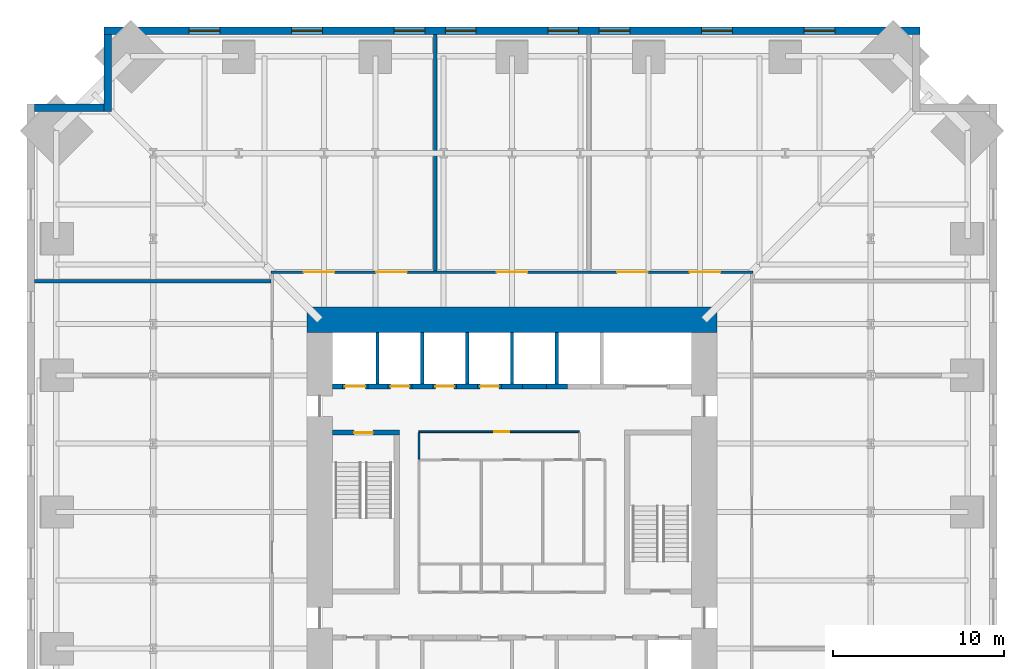
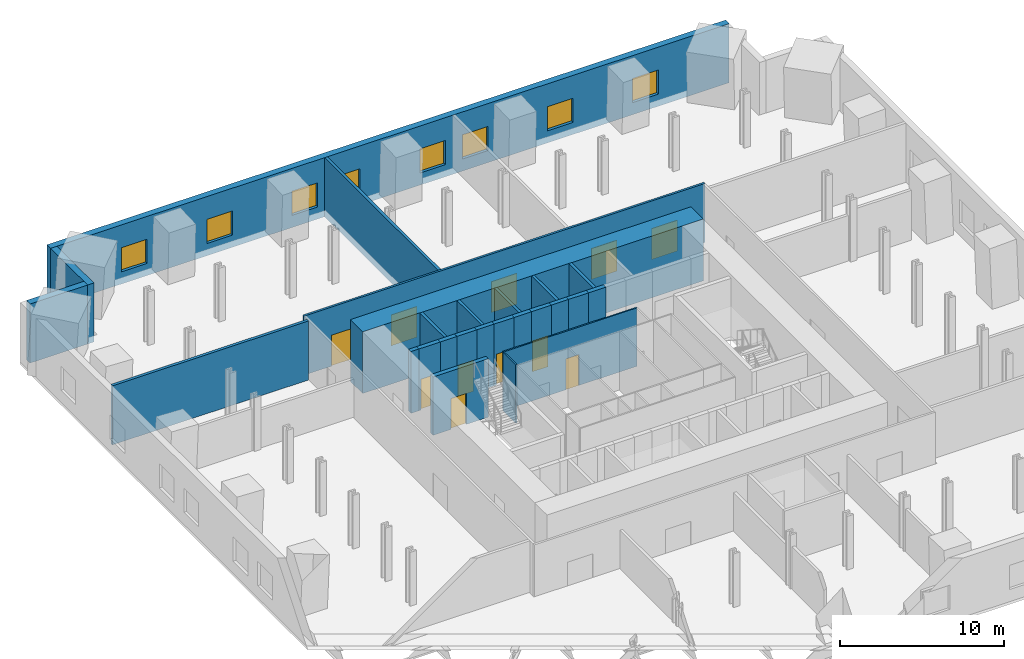
# One storey, part 6 of 8: 26 walls, 11 doors, 8 windows, 19 openings.
"""IFC4 building model written with IfcOpenShell, lengths in metres."""

from ifc_helpers import new_model, si_unit, direction, frame, frame_2d, origin, place, context, subcontext, project, spatial, rectangle, extrude, material, layer, layer_set, type_object, element, fill, save


model = new_model("IFC4")

# Units and contexts
model_context = context("Model", 3, precision=1e-05, world=origin(), true_north=direction((0.0, 1.0)))
body_context = subcontext(model_context, "Body", "Model", "MODEL_VIEW")
ifc_project = project(units=[si_unit("LENGTHUNIT", "METRE"), si_unit("AREAUNIT", "SQUARE_METRE"), si_unit("VOLUMEUNIT", "CUBIC_METRE"), si_unit("PLANEANGLEUNIT", "RADIAN"), si_unit("MASSUNIT", "GRAM", prefix="KILO")], contexts=[model_context])

# Site, building, storey
site_placement = place(None, origin())
site = spatial("IfcSite", under=ifc_project, at=site_placement, CompositionType="ELEMENT")
building_placement = place(site_placement, origin())
building = spatial("IfcBuilding", under=site, at=building_placement, Name="Peilmerk Tower", CompositionType="ELEMENT")
storey_placement = place(building_placement, frame((0.0, 0.0, 104.39990234375)))
storey = spatial("IfcBuildingStorey", under=building, at=storey_placement, Name="L20", CompositionType="ELEMENT", Elevation=104.39990234375)

# Wall, openings, windows
ifc_material_1 = material(Name="Precast concrete C45/55, board-marked finish", Category="concrete")
ifc_layer_1 = layer(ifc_material_1, 0.449951171875)
ifc_layer_set_1 = layer_set([ifc_layer_1], Name="Precast concrete C45/55, board-marked finish")
wall_type_1 = type_object("IfcWallType", Name="EW1 450 precast concrete facade wall, board-marked", PredefinedType="SOLIDWALL", material=ifc_layer_set_1)
wall_1_placement = place(storey_placement, frame((23.89990234375, 28.175048828125, 0.0), z_axis=(0.0, 0.0, 1.0), x_axis=(-1.0, 0.0, 0.0)))
wall_1 = element("IfcWall", 1, at=wall_1_placement, inside=storey, type_object=wall_type_1, Name="Facade wall N L20", PredefinedType="SOLIDWALL", context=body_context, shape_type="SweptSolid", body=[
    extrude(rectangle(XDim=47.7998046875, YDim=0.449951171875, at=frame_2d((23.89990234375, 0.0))), origin(), (0.0, 0.0, 1.0), 4.400146484375),
])
opening_1_placement = place(wall_1_placement, frame((5.0, 0.0, 0.89990234375)))
opening_1 = element("IfcOpeningElement", 2, at=opening_1_placement, cuts=wall_1, Name="Opening W3", PredefinedType="OPENING", context=body_context, shape_type="SweptSolid", body=[
    extrude(rectangle(XDim=1.800048828125, YDim=1.800048828125, at=frame_2d((0.89990234375, 0.89990234375))), frame((0.0, 0.23486328125, 0.0), z_axis=(0.0, -1.0, 0.0), x_axis=(1.0, 0.0, 0.0)), (0.0, 0.0, 1.0), 0.469970703125),
])
opening_2_placement = place(wall_1_placement, frame((11.0, 0.0, 0.89990234375)))
opening_2 = element("IfcOpeningElement", 3, at=opening_2_placement, cuts=wall_1, Name="Opening W3", PredefinedType="OPENING", context=body_context, shape_type="SweptSolid", body=[
    extrude(rectangle(XDim=1.800048828125, YDim=1.800048828125, at=frame_2d((0.89990234375, 0.89990234375))), frame((0.0, 0.23486328125, 0.0), z_axis=(0.0, -1.0, 0.0), x_axis=(1.0, 0.0, 0.0)), (0.0, 0.0, 1.0), 0.469970703125),
])
opening_3_placement = place(wall_1_placement, frame((17.0, 0.0, 0.89990234375)))
opening_3 = element("IfcOpeningElement", 4, at=opening_3_placement, cuts=wall_1, Name="Opening W3", PredefinedType="OPENING", context=body_context, shape_type="SweptSolid", body=[
    extrude(rectangle(XDim=1.800048828125, YDim=1.800048828125, at=frame_2d((0.89990234375, 0.89990234375))), frame((0.0, 0.23486328125, 0.0), z_axis=(0.0, -1.0, 0.0), x_axis=(1.0, 0.0, 0.0)), (0.0, 0.0, 1.0), 0.469970703125),
])
opening_4_placement = place(wall_1_placement, frame((20.0, 0.0, 0.89990234375)))
opening_4 = element("IfcOpeningElement", 5, at=opening_4_placement, cuts=wall_1, Name="Opening W3", PredefinedType="OPENING", context=body_context, shape_type="SweptSolid", body=[
    extrude(rectangle(XDim=1.800048828125, YDim=1.800048828125, at=frame_2d((0.89990234375, 0.89990234375))), frame((0.0, 0.23486328125, 0.0), z_axis=(0.0, -1.0, 0.0), x_axis=(1.0, 0.0, 0.0)), (0.0, 0.0, 1.0), 0.469970703125),
])
opening_5_placement = place(wall_1_placement, frame((26.0, 0.0, 0.89990234375)))
opening_5 = element("IfcOpeningElement", 6, at=opening_5_placement, cuts=wall_1, Name="Opening W3", PredefinedType="OPENING", context=body_context, shape_type="SweptSolid", body=[
    extrude(rectangle(XDim=1.800048828125, YDim=1.800048828125, at=frame_2d((0.89990234375, 0.89990234375))), frame((0.0, 0.23486328125, 0.0), z_axis=(0.0, -1.0, 0.0), x_axis=(1.0, 0.0, 0.0)), (0.0, 0.0, 1.0), 0.469970703125),
])
opening_6_placement = place(wall_1_placement, frame((29.0, 0.0, 0.89990234375)))
opening_6 = element("IfcOpeningElement", 7, at=opening_6_placement, cuts=wall_1, Name="Opening W3", PredefinedType="OPENING", context=body_context, shape_type="SweptSolid", body=[
    extrude(rectangle(XDim=1.800048828125, YDim=1.800048828125, at=frame_2d((0.89990234375, 0.89990234375))), frame((0.0, 0.23486328125, 0.0), z_axis=(0.0, -1.0, 0.0), x_axis=(1.0, 0.0, 0.0)), (0.0, 0.0, 1.0), 0.469970703125),
])
opening_7_placement = place(wall_1_placement, frame((35.0, 0.0, 0.89990234375)))
opening_7 = element("IfcOpeningElement", 8, at=opening_7_placement, cuts=wall_1, Name="Opening W3", PredefinedType="OPENING", context=body_context, shape_type="SweptSolid", body=[
    extrude(rectangle(XDim=1.800048828125, YDim=1.800048828125, at=frame_2d((0.89990234375, 0.89990234375))), frame((0.0, 0.23486328125, 0.0), z_axis=(0.0, -1.0, 0.0), x_axis=(1.0, 0.0, 0.0)), (0.0, 0.0, 1.0), 0.469970703125),
])
opening_8_placement = place(wall_1_placement, frame((41.0, 0.0, 0.89990234375)))
opening_8 = element("IfcOpeningElement", 9, at=opening_8_placement, cuts=wall_1, Name="Opening W3", PredefinedType="OPENING", context=body_context, shape_type="SweptSolid", body=[
    extrude(rectangle(XDim=1.800048828125, YDim=1.800048828125, at=frame_2d((0.89990234375, 0.89990234375))), frame((0.0, 0.23486328125, 0.0), z_axis=(0.0, -1.0, 0.0), x_axis=(1.0, 0.0, 0.0)), (0.0, 0.0, 1.0), 0.469970703125),
])
ifc_material_2 = material(Name="Aluminium frame, clear double glazing", Category="aluminium")
window_type = type_object("IfcWindowType", Name="W3 1800x1800 telecom floor window", PartitioningType="SINGLE_PANEL", PredefinedType="WINDOW", material=ifc_material_2)
window_1_placement = place(opening_1_placement, origin())
window_1 = element("IfcWindow", 10, at=window_1_placement, inside=storey, type_object=window_type, Name="Window W3 L20", OverallHeight=1.800048828125, OverallWidth=1.800048828125, PartitioningType="SINGLE_PANEL", PredefinedType="WINDOW", context=body_context, shape_type="SweptSolid", body=[
    extrude(rectangle(XDim=1.800048828125, YDim=1.800048828125, at=frame_2d((0.89990234375, 0.89990234375))), frame((0.0, 0.030029296875, 0.0), z_axis=(0.0, -1.0, 0.0), x_axis=(1.0, 0.0, 0.0)), (0.0, 0.0, 1.0), 0.06005859375),
])
fill(opening_1, window_1)
window_2_placement = place(opening_2_placement, origin())
window_2 = element("IfcWindow", 11, at=window_2_placement, inside=storey, type_object=window_type, Name="Window W3 L20", OverallHeight=1.800048828125, OverallWidth=1.800048828125, PartitioningType="SINGLE_PANEL", PredefinedType="WINDOW", context=body_context, shape_type="SweptSolid", body=[
    extrude(rectangle(XDim=1.800048828125, YDim=1.800048828125, at=frame_2d((0.89990234375, 0.89990234375))), frame((0.0, 0.030029296875, 0.0), z_axis=(0.0, -1.0, 0.0), x_axis=(1.0, 0.0, 0.0)), (0.0, 0.0, 1.0), 0.06005859375),
])
fill(opening_2, window_2)
window_3_placement = place(opening_3_placement, origin())
window_3 = element("IfcWindow", 12, at=window_3_placement, inside=storey, type_object=window_type, Name="Window W3 L20", OverallHeight=1.800048828125, OverallWidth=1.800048828125, PartitioningType="SINGLE_PANEL", PredefinedType="WINDOW", context=body_context, shape_type="SweptSolid", body=[
    extrude(rectangle(XDim=1.800048828125, YDim=1.800048828125, at=frame_2d((0.89990234375, 0.89990234375))), frame((0.0, 0.030029296875, 0.0), z_axis=(0.0, -1.0, 0.0), x_axis=(1.0, 0.0, 0.0)), (0.0, 0.0, 1.0), 0.06005859375),
])
fill(opening_3, window_3)
window_4_placement = place(opening_4_placement, origin())
window_4 = element("IfcWindow", 13, at=window_4_placement, inside=storey, type_object=window_type, Name="Window W3 L20", OverallHeight=1.800048828125, OverallWidth=1.800048828125, PartitioningType="SINGLE_PANEL", PredefinedType="WINDOW", context=body_context, shape_type="SweptSolid", body=[
    extrude(rectangle(XDim=1.800048828125, YDim=1.800048828125, at=frame_2d((0.89990234375, 0.89990234375))), frame((0.0, 0.030029296875, 0.0), z_axis=(0.0, -1.0, 0.0), x_axis=(1.0, 0.0, 0.0)), (0.0, 0.0, 1.0), 0.06005859375),
])
fill(opening_4, window_4)
window_5_placement = place(opening_5_placement, origin())
window_5 = element("IfcWindow", 14, at=window_5_placement, inside=storey, type_object=window_type, Name="Window W3 L20", OverallHeight=1.800048828125, OverallWidth=1.800048828125, PartitioningType="SINGLE_PANEL", PredefinedType="WINDOW", context=body_context, shape_type="SweptSolid", body=[
    extrude(rectangle(XDim=1.800048828125, YDim=1.800048828125, at=frame_2d((0.89990234375, 0.89990234375))), frame((0.0, 0.030029296875, 0.0), z_axis=(0.0, -1.0, 0.0), x_axis=(1.0, 0.0, 0.0)), (0.0, 0.0, 1.0), 0.06005859375),
])
fill(opening_5, window_5)
window_6_placement = place(opening_6_placement, origin())
window_6 = element("IfcWindow", 15, at=window_6_placement, inside=storey, type_object=window_type, Name="Window W3 L20", OverallHeight=1.800048828125, OverallWidth=1.800048828125, PartitioningType="SINGLE_PANEL", PredefinedType="WINDOW", context=body_context, shape_type="SweptSolid", body=[
    extrude(rectangle(XDim=1.800048828125, YDim=1.800048828125, at=frame_2d((0.89990234375, 0.89990234375))), frame((0.0, 0.030029296875, 0.0), z_axis=(0.0, -1.0, 0.0), x_axis=(1.0, 0.0, 0.0)), (0.0, 0.0, 1.0), 0.06005859375),
])
fill(opening_6, window_6)
window_7_placement = place(opening_7_placement, origin())
window_7 = element("IfcWindow", 16, at=window_7_placement, inside=storey, type_object=window_type, Name="Window W3 L20", OverallHeight=1.800048828125, OverallWidth=1.800048828125, PartitioningType="SINGLE_PANEL", PredefinedType="WINDOW", context=body_context, shape_type="SweptSolid", body=[
    extrude(rectangle(XDim=1.800048828125, YDim=1.800048828125, at=frame_2d((0.89990234375, 0.89990234375))), frame((0.0, 0.030029296875, 0.0), z_axis=(0.0, -1.0, 0.0), x_axis=(1.0, 0.0, 0.0)), (0.0, 0.0, 1.0), 0.06005859375),
])
fill(opening_7, window_7)
window_8_placement = place(opening_8_placement, origin())
window_8 = element("IfcWindow", 17, at=window_8_placement, inside=storey, type_object=window_type, Name="Window W3 L20", OverallHeight=1.800048828125, OverallWidth=1.800048828125, PartitioningType="SINGLE_PANEL", PredefinedType="WINDOW", context=body_context, shape_type="SweptSolid", body=[
    extrude(rectangle(XDim=1.800048828125, YDim=1.800048828125, at=frame_2d((0.89990234375, 0.89990234375))), frame((0.0, 0.030029296875, 0.0), z_axis=(0.0, -1.0, 0.0), x_axis=(1.0, 0.0, 0.0)), (0.0, 0.0, 1.0), 0.06005859375),
])
fill(opening_8, window_8)

# Walls
wall_2_placement = place(storey_placement, frame((-23.675048828125, 23.449951171875, 0.0), z_axis=(0.0, 0.0, 1.0), x_axis=(0.0, 1.0, 0.0)))
element("IfcWall", 18, at=wall_2_placement, inside=storey, type_object=wall_type_1, Name="Facade wall NWA L20", PredefinedType="SOLIDWALL", context=body_context, shape_type="SweptSolid", body=[
    extrude(rectangle(XDim=4.5, YDim=0.449951171875, at=frame_2d((2.25, 0.0))), origin(), (0.0, 0.0, 1.0), 4.400146484375),
])
wall_3_placement = place(storey_placement, frame((-23.89990234375, 23.675048828125, 0.0), z_axis=(0.0, 0.0, 1.0), x_axis=(-1.0, 0.0, 0.0)))
element("IfcWall", 19, at=wall_3_placement, inside=storey, type_object=wall_type_1, Name="Facade wall NWB L20", PredefinedType="SOLIDWALL", context=body_context, shape_type="SweptSolid", body=[
    extrude(rectangle(XDim=4.050048828125, YDim=0.449951171875, at=frame_2d((2.02490234375, 0.0))), origin(), (0.0, 0.0, 1.0), 4.400146484375),
])

# Wall, openings, doors
ifc_material_3 = material(Name="Calcium silicate block", Category="masonry")
ifc_layer_2 = layer(ifc_material_3, 0.14990234375)
ifc_layer_set_2 = layer_set([ifc_layer_2], Name="Calcium silicate block")
wall_type_2 = type_object("IfcWallType", Name="IW1 150 corridor partition, EI 60", PredefinedType="PARTITIONING", material=ifc_layer_set_2)
wall_4_placement = place(storey_placement, frame((-14.125, 14.050048828125, 0.0), z_axis=(0.0, 0.0, 1.0), x_axis=(1.0, 0.0, 0.0)))
wall_4 = element("IfcWall", 20, at=wall_4_placement, inside=storey, type_object=wall_type_2, Name="Corridor wall N L20", PredefinedType="PARTITIONING", context=body_context, shape_type="SweptSolid", body=[
    extrude(rectangle(XDim=28.25, YDim=0.14990234375, at=frame_2d((14.125, 0.0))), origin(), (0.0, 0.0, 1.0), 4.400146484375),
])
opening_9_placement = place(wall_4_placement, frame((1.925048828125, 0.0, 0.0)))
opening_9 = element("IfcOpeningElement", 21, at=opening_9_placement, cuts=wall_4, Name="Opening D2", PredefinedType="OPENING", context=body_context, shape_type="SweptSolid", body=[
    extrude(rectangle(XDim=1.800048828125, YDim=2.300048828125, at=frame_2d((0.89990234375, 1.14990234375))), frame((0.0, 0.0849609375, 0.0), z_axis=(0.0, -1.0, 0.0), x_axis=(1.0, 0.0, 0.0)), (0.0, 0.0, 1.0), 0.169921875),
])
opening_10_placement = place(wall_4_placement, frame((6.175048828125, 0.0, 0.0)))
opening_10 = element("IfcOpeningElement", 22, at=opening_10_placement, cuts=wall_4, Name="Opening D2", PredefinedType="OPENING", context=body_context, shape_type="SweptSolid", body=[
    extrude(rectangle(XDim=1.800048828125, YDim=2.300048828125, at=frame_2d((0.89990234375, 1.14990234375))), frame((0.0, 0.0849609375, 0.0), z_axis=(0.0, -1.0, 0.0), x_axis=(1.0, 0.0, 0.0)), (0.0, 0.0, 1.0), 0.169921875),
])
opening_11_placement = place(wall_4_placement, frame((13.22509765625, 0.0, 0.0)))
opening_11 = element("IfcOpeningElement", 23, at=opening_11_placement, cuts=wall_4, Name="Opening D2", PredefinedType="OPENING", context=body_context, shape_type="SweptSolid", body=[
    extrude(rectangle(XDim=1.800048828125, YDim=2.300048828125, at=frame_2d((0.89990234375, 1.14990234375))), frame((0.0, 0.0849609375, 0.0), z_axis=(0.0, -1.0, 0.0), x_axis=(1.0, 0.0, 0.0)), (0.0, 0.0, 1.0), 0.169921875),
])
opening_12_placement = place(wall_4_placement, frame((20.27490234375, 0.0, 0.0)))
opening_12 = element("IfcOpeningElement", 24, at=opening_12_placement, cuts=wall_4, Name="Opening D2", PredefinedType="OPENING", context=body_context, shape_type="SweptSolid", body=[
    extrude(rectangle(XDim=1.800048828125, YDim=2.300048828125, at=frame_2d((0.89990234375, 1.14990234375))), frame((0.0, 0.0849609375, 0.0), z_axis=(0.0, -1.0, 0.0), x_axis=(1.0, 0.0, 0.0)), (0.0, 0.0, 1.0), 0.169921875),
])
opening_13_placement = place(wall_4_placement, frame((24.52490234375, 0.0, 0.0)))
opening_13 = element("IfcOpeningElement", 25, at=opening_13_placement, cuts=wall_4, Name="Opening D2", PredefinedType="OPENING", context=body_context, shape_type="SweptSolid", body=[
    extrude(rectangle(XDim=1.800048828125, YDim=2.300048828125, at=frame_2d((0.89990234375, 1.14990234375))), frame((0.0, 0.0849609375, 0.0), z_axis=(0.0, -1.0, 0.0), x_axis=(1.0, 0.0, 0.0)), (0.0, 0.0, 1.0), 0.169921875),
])
ifc_material_4 = material(Name="Steel door in steel frame", Category="steel")
door_type_1 = type_object("IfcDoorType", Name="D2 1800x2300 double door, EI2 60", OperationType="DOUBLE_DOOR_DOUBLE_SWING", PredefinedType="DOOR", material=ifc_material_4)
door_1_placement = place(opening_9_placement, origin())
door_1 = element("IfcDoor", 26, at=door_1_placement, inside=storey, type_object=door_type_1, Name="Door Telecom equipment room A L20", OperationType="DOUBLE_DOOR_DOUBLE_SWING", OverallHeight=2.300048828125, OverallWidth=1.800048828125, PredefinedType="DOOR", context=body_context, shape_type="SweptSolid", body=[
    extrude(rectangle(XDim=1.800048828125, YDim=2.300048828125, at=frame_2d((0.89990234375, 1.14990234375))), frame((0.0, 0.02490234375, 0.0), z_axis=(0.0, -1.0, 0.0), x_axis=(1.0, 0.0, 0.0)), (0.0, 0.0, 1.0), 0.050048828125),
])
fill(opening_9, door_1)
door_2_placement = place(opening_10_placement, origin())
door_2 = element("IfcDoor", 27, at=door_2_placement, inside=storey, type_object=door_type_1, Name="Door Telecom equipment room A L20", OperationType="DOUBLE_DOOR_DOUBLE_SWING", OverallHeight=2.300048828125, OverallWidth=1.800048828125, PredefinedType="DOOR", context=body_context, shape_type="SweptSolid", body=[
    extrude(rectangle(XDim=1.800048828125, YDim=2.300048828125, at=frame_2d((0.89990234375, 1.14990234375))), frame((0.0, 0.02490234375, 0.0), z_axis=(0.0, -1.0, 0.0), x_axis=(1.0, 0.0, 0.0)), (0.0, 0.0, 1.0), 0.050048828125),
])
fill(opening_10, door_2)
door_3_placement = place(opening_11_placement, origin())
door_3 = element("IfcDoor", 28, at=door_3_placement, inside=storey, type_object=door_type_1, Name="Door Telecom equipment room B L20", OperationType="DOUBLE_DOOR_DOUBLE_SWING", OverallHeight=2.300048828125, OverallWidth=1.800048828125, PredefinedType="DOOR", context=body_context, shape_type="SweptSolid", body=[
    extrude(rectangle(XDim=1.800048828125, YDim=2.300048828125, at=frame_2d((0.89990234375, 1.14990234375))), frame((0.0, 0.02490234375, 0.0), z_axis=(0.0, -1.0, 0.0), x_axis=(1.0, 0.0, 0.0)), (0.0, 0.0, 1.0), 0.050048828125),
])
fill(opening_11, door_3)
door_4_placement = place(opening_12_placement, origin())
door_4 = element("IfcDoor", 29, at=door_4_placement, inside=storey, type_object=door_type_1, Name="Door Telecom equipment room C L20", OperationType="DOUBLE_DOOR_DOUBLE_SWING", OverallHeight=2.300048828125, OverallWidth=1.800048828125, PredefinedType="DOOR", context=body_context, shape_type="SweptSolid", body=[
    extrude(rectangle(XDim=1.800048828125, YDim=2.300048828125, at=frame_2d((0.89990234375, 1.14990234375))), frame((0.0, 0.02490234375, 0.0), z_axis=(0.0, -1.0, 0.0), x_axis=(1.0, 0.0, 0.0)), (0.0, 0.0, 1.0), 0.050048828125),
])
fill(opening_12, door_4)
door_5_placement = place(opening_13_placement, origin())
door_5 = element("IfcDoor", 30, at=door_5_placement, inside=storey, type_object=door_type_1, Name="Door Telecom equipment room C L20", OperationType="DOUBLE_DOOR_DOUBLE_SWING", OverallHeight=2.300048828125, OverallWidth=1.800048828125, PredefinedType="DOOR", context=body_context, shape_type="SweptSolid", body=[
    extrude(rectangle(XDim=1.800048828125, YDim=2.300048828125, at=frame_2d((0.89990234375, 1.14990234375))), frame((0.0, 0.02490234375, 0.0), z_axis=(0.0, -1.0, 0.0), x_axis=(1.0, 0.0, 0.0)), (0.0, 0.0, 1.0), 0.050048828125),
])
fill(opening_13, door_5)

# Walls
ifc_layer_3 = layer(ifc_material_3, 0.199951171875)
ifc_layer_set_3 = layer_set([ifc_layer_3], Name="Calcium silicate block")
wall_type_3 = type_object("IfcWallType", Name="IW2 200 room separating wall, EI 120", PredefinedType="PARTITIONING", material=ifc_layer_set_3)
for number, where, z_axis, x_axis, name in (
    (31, (-27.949951171875, 13.5, 0.0), (0.0, 0.0, 1.0), (1.0, 0.0, 0.0), "Room separating wall NW L20"),
    (32, (-4.5, 14.125, 0.0), (0.0, 0.0, 1.0), (0.0, 1.0, 0.0), "Room separating wall N1 L20"),
):
    element("IfcWall", number, at=place(storey_placement, frame(where, z_axis=z_axis, x_axis=x_axis)), inside=storey, type_object=wall_type_3, Name=name, PredefinedType="PARTITIONING", context=body_context, shape_type="SweptSolid", body=[
        extrude(rectangle(XDim=13.824951171875, YDim=0.199951171875, at=frame_2d((6.91259765625, 0.0))), origin(), (0.0, 0.0, 1.0), 4.400146484375),
    ])

# Wall, opening, door
ifc_material_5 = material(Name="Concrete C35/45", Category="concrete")
ifc_layer_4 = layer(ifc_material_5, 0.300048828125)
ifc_layer_set_4 = layer_set([ifc_layer_4], Name="Concrete C35/45")
wall_type_4 = type_object("IfcWallType", Name="IW3 300 concrete stair enclosure wall, EI 120", PredefinedType="SOLIDWALL", material=ifc_layer_set_4)
wall_5_placement = place(storey_placement, frame((-10.5, 4.64990234375, 0.0), z_axis=(0.0, 0.0, 1.0), x_axis=(1.0, 0.0, 0.0)))
wall_5 = element("IfcWall", 33, at=wall_5_placement, inside=storey, type_object=wall_type_4, Name="Stair 1 enclosure L20", PredefinedType="SOLIDWALL", context=body_context, shape_type="SweptSolid", body=[
    extrude(rectangle(XDim=3.89990234375, YDim=0.300048828125, at=frame_2d((1.949951171875, 0.0))), origin(), (0.0, 0.0, 1.0), 4.35009765625),
])
opening_14_placement = place(wall_5_placement, frame((1.25, 0.0, 0.0)))
opening_14 = element("IfcOpeningElement", 34, at=opening_14_placement, cuts=wall_5, Name="Opening D4", PredefinedType="OPENING", context=body_context, shape_type="SweptSolid", body=[
    extrude(rectangle(XDim=1.10009765625, YDim=2.300048828125, at=frame_2d((0.550048828125, 1.14990234375))), frame((0.0, 0.159912109375, 0.0), z_axis=(0.0, -1.0, 0.0), x_axis=(1.0, 0.0, 0.0)), (0.0, 0.0, 1.0), 0.320068359375),
])
door_type_2 = type_object("IfcDoorType", Name="D4 1100x2300 stair door, EI2 60", OperationType="SINGLE_SWING_RIGHT", PredefinedType="DOOR", material=ifc_material_4)
door_6_placement = place(opening_14_placement, frame((1.10009765625, 0.0, 0.0), z_axis=(0.0, 0.0, 1.0), x_axis=(-1.0, 0.0, 0.0)))
door_6 = element("IfcDoor", 35, at=door_6_placement, inside=storey, type_object=door_type_2, Name="Stair 1 door L20", OperationType="SINGLE_SWING_RIGHT", OverallHeight=2.300048828125, OverallWidth=1.10009765625, PredefinedType="DOOR", context=body_context, shape_type="SweptSolid", body=[
    extrude(rectangle(XDim=1.10009765625, YDim=2.300048828125, at=frame_2d((0.550048828125, 1.14990234375))), frame((0.0, 0.02490234375, 0.0), z_axis=(0.0, -1.0, 0.0), x_axis=(1.0, 0.0, 0.0)), (0.0, 0.0, 1.0), 0.050048828125),
])
fill(opening_14, door_6)

ifc_material_6 = material(Name="Fire-resisting plasterboard on steel studs", Category="steel")
ifc_layer_5 = layer(ifc_material_6, 0.10009765625)
ifc_layer_set_5 = layer_set([ifc_layer_5], Name="Fire-resisting plasterboard on steel studs")
wall_type_5 = type_object("IfcWallType", Name="IW9 100 WC lobby wall, EI 30", PredefinedType="PARTITIONING", material=ifc_layer_set_5)
wall_6_placement = place(storey_placement, frame((-5.449951171875, 4.699951171875, 0.0), z_axis=(0.0, 0.0, 1.0), x_axis=(1.0, 0.0, 0.0)))
wall_6 = element("IfcWall", 36, at=wall_6_placement, inside=storey, type_object=wall_type_5, Name="WC lobby wall L20", PredefinedType="PARTITIONING", context=body_context, shape_type="SweptSolid", body=[
    extrude(rectangle(XDim=9.39990234375, YDim=0.10009765625, at=frame_2d((4.699951171875, 0.0))), origin(), (0.0, 0.0, 1.0), 4.35009765625),
])
opening_15_placement = place(wall_6_placement, frame((4.39990234375, 0.0, 0.0)))
opening_15 = element("IfcOpeningElement", 37, at=opening_15_placement, cuts=wall_6, Name="Opening D11", PredefinedType="OPENING", context=body_context, shape_type="SweptSolid", body=[
    extrude(rectangle(XDim=0.89990234375, YDim=2.300048828125, at=frame_2d((0.449951171875, 1.14990234375))), frame((0.0, 0.06005859375, 0.0), z_axis=(0.0, -1.0, 0.0), x_axis=(1.0, 0.0, 0.0)), (0.0, 0.0, 1.0), 0.1201171875),
])
ifc_material_7 = material(Name="Timber door in steel frame", Category="steel")
door_type_3 = type_object("IfcDoorType", Name="D11 900x2300 WC lobby door, EI2 30", OperationType="SINGLE_SWING_LEFT", PredefinedType="DOOR", material=ifc_material_7)
door_7_placement = place(opening_15_placement, frame((0.89990234375, 0.0, 0.0), z_axis=(0.0, 0.0, 1.0), x_axis=(-1.0, 0.0, 0.0)))
door_7 = element("IfcDoor", 38, at=door_7_placement, inside=storey, type_object=door_type_3, Name="WC lobby door L20", OperationType="SINGLE_SWING_LEFT", OverallHeight=2.300048828125, OverallWidth=0.89990234375, PredefinedType="DOOR", context=body_context, shape_type="SweptSolid", body=[
    extrude(rectangle(XDim=0.89990234375, YDim=2.300048828125, at=frame_2d((0.449951171875, 1.14990234375))), frame((0.0, 0.02490234375, 0.0), z_axis=(0.0, -1.0, 0.0), x_axis=(1.0, 0.0, 0.0)), (0.0, 0.0, 1.0), 0.050048828125),
])
fill(opening_15, door_7)

# Walls
wall_7_placement = place(storey_placement, frame((-5.449951171875, 3.10009765625, 0.0), z_axis=(0.0, 0.0, 1.0), x_axis=(0.0, 1.0, 0.0)))
element("IfcWall", 39, at=wall_7_placement, inside=storey, type_object=wall_type_5, Name="WC lobby wall L20", PredefinedType="PARTITIONING", context=body_context, shape_type="SweptSolid", body=[
    extrude(rectangle(XDim=1.5498046875, YDim=0.10009765625, at=frame_2d((0.77490234375, 0.0))), origin(), (0.0, 0.0, 1.0), 4.35009765625),
])
ifc_layer_6 = layer(ifc_material_3, 0.199951171875)
ifc_layer_set_6 = layer_set([ifc_layer_6], Name="Calcium silicate block")
wall_type_6 = type_object("IfcWallType", Name="SH1 200 shaft dividing wall, EI 120", PredefinedType="PARTITIONING", material=ifc_layer_set_6)
for number, where, z_axis, x_axis, name in (
    (40, (-7.875, 7.5, 0.0), (0.0, 0.0, 1.0), (0.0, 1.0, 0.0), "Shaft wall N FL1 L20"),
    (41, (-5.25, 7.5, 0.0), (0.0, 0.0, 1.0), (0.0, 1.0, 0.0), "Shaft wall N A1 L20"),
    (42, (-2.625, 7.5, 0.0), (0.0, 0.0, 1.0), (0.0, 1.0, 0.0), "Shaft wall N A2 L20"),
    (43, (0.0, 7.5, 0.0), (0.0, 0.0, 1.0), (0.0, 1.0, 0.0), "Shaft wall N A3 L20"),
    (44, (2.625, 7.5, 0.0), (0.0, 0.0, 1.0), (0.0, 1.0, 0.0), "Shaft wall N S1 L20"),
):
    element("IfcWall", number, at=place(storey_placement, frame(where, z_axis=z_axis, x_axis=x_axis)), inside=storey, type_object=wall_type_6, Name=name, PredefinedType="PARTITIONING", context=body_context, shape_type="SweptSolid", body=[
        extrude(rectangle(XDim=3.0, YDim=0.199951171875, at=frame_2d((1.5, 0.0))), origin(), (0.0, 0.0, 1.0), 4.60009765625),
    ])

# Wall, opening, door
ifc_layer_7 = layer(ifc_material_3, 0.300048828125)
ifc_layer_set_7 = layer_set([ifc_layer_7], Name="Calcium silicate block")
wall_type_7 = type_object("IfcWallType", Name="SH2 300 lift landing door panel, EI 120", PredefinedType="PARTITIONING", material=ifc_layer_set_7)
wall_8_placement = place(storey_placement, frame((-9.9375, 7.35009765625, 0.0), z_axis=(0.0, 0.0, 1.0), x_axis=(1.0, 0.0, 0.0)))
wall_8 = element("IfcWall", 45, at=wall_8_placement, inside=storey, type_object=wall_type_7, Name="Lift door panel N FL1 L20", PredefinedType="PARTITIONING", context=body_context, shape_type="SweptSolid", body=[
    extrude(rectangle(XDim=1.5, YDim=0.300048828125, at=frame_2d((0.75, 0.0))), origin(), (0.0, 0.0, 1.0), 4.60009765625),
])
opening_16_placement = place(wall_8_placement, frame((0.14990234375, 0.0, 0.0)))
opening_16 = element("IfcOpeningElement", 46, at=opening_16_placement, cuts=wall_8, Name="Opening LD2", PredefinedType="OPENING", context=body_context, shape_type="SweptSolid", body=[
    extrude(rectangle(XDim=1.199951171875, YDim=2.300048828125, at=frame_2d((0.60009765625, 1.14990234375))), frame((0.0, 0.159912109375, 0.0), z_axis=(0.0, -1.0, 0.0), x_axis=(1.0, 0.0, 0.0)), (0.0, 0.0, 1.0), 0.320068359375),
])
ifc_material_8 = material(Name="Stainless steel landing door", Category="steel")
door_type_4 = type_object("IfcDoorType", Name="LD2 1200x2300 lift landing door, sliding, EI2 60", OperationType="SLIDING_TO_LEFT", PredefinedType="DOOR", material=ifc_material_8)
door_8_placement = place(opening_16_placement, frame((1.199951171875, 0.0, 0.0), z_axis=(0.0, 0.0, 1.0), x_axis=(-1.0, 0.0, 0.0)))
door_8 = element("IfcDoor", 47, at=door_8_placement, inside=storey, type_object=door_type_4, Name="Lift landing door FL1 L20", OperationType="SLIDING_TO_LEFT", OverallHeight=2.300048828125, OverallWidth=1.199951171875, PredefinedType="DOOR", context=body_context, shape_type="SweptSolid", body=[
    extrude(rectangle(XDim=1.199951171875, YDim=2.300048828125, at=frame_2d((0.60009765625, 1.14990234375))), frame((0.0, 0.02490234375, 0.0), z_axis=(0.0, -1.0, 0.0), x_axis=(1.0, 0.0, 0.0)), (0.0, 0.0, 1.0), 0.050048828125),
])
fill(opening_16, door_8)

wall_9_placement = place(storey_placement, frame((-7.262451171875, 7.35009765625, 0.0), z_axis=(0.0, 0.0, 1.0), x_axis=(1.0, 0.0, 0.0)))
wall_9 = element("IfcWall", 48, at=wall_9_placement, inside=storey, type_object=wall_type_7, Name="Lift door panel N A1 L20", PredefinedType="PARTITIONING", context=body_context, shape_type="SweptSolid", body=[
    extrude(rectangle(XDim=1.39990234375, YDim=0.300048828125, at=frame_2d((0.699951171875, 0.0))), origin(), (0.0, 0.0, 1.0), 4.60009765625),
])
opening_17_placement = place(wall_9_placement, frame((0.14990234375, 0.0, 0.0)))
opening_17 = element("IfcOpeningElement", 49, at=opening_17_placement, cuts=wall_9, Name="Opening LD1", PredefinedType="OPENING", context=body_context, shape_type="SweptSolid", body=[
    extrude(rectangle(XDim=1.10009765625, YDim=2.300048828125, at=frame_2d((0.550048828125, 1.14990234375))), frame((0.0, 0.159912109375, 0.0), z_axis=(0.0, -1.0, 0.0), x_axis=(1.0, 0.0, 0.0)), (0.0, 0.0, 1.0), 0.320068359375),
])
door_type_5 = type_object("IfcDoorType", Name="LD1 1100x2300 lift landing door, sliding, EI2 60", OperationType="SLIDING_TO_LEFT", PredefinedType="DOOR", material=ifc_material_8)
door_9_placement = place(opening_17_placement, frame((1.10009765625, 0.0, 0.0), z_axis=(0.0, 0.0, 1.0), x_axis=(-1.0, 0.0, 0.0)))
door_9 = element("IfcDoor", 50, at=door_9_placement, inside=storey, type_object=door_type_5, Name="Lift landing door A1 L20", OperationType="SLIDING_TO_LEFT", OverallHeight=2.300048828125, OverallWidth=1.10009765625, PredefinedType="DOOR", context=body_context, shape_type="SweptSolid", body=[
    extrude(rectangle(XDim=1.10009765625, YDim=2.300048828125, at=frame_2d((0.550048828125, 1.14990234375))), frame((0.0, 0.02490234375, 0.0), z_axis=(0.0, -1.0, 0.0), x_axis=(1.0, 0.0, 0.0)), (0.0, 0.0, 1.0), 0.050048828125),
])
fill(opening_17, door_9)

wall_10_placement = place(storey_placement, frame((-4.637451171875, 7.35009765625, 0.0), z_axis=(0.0, 0.0, 1.0), x_axis=(1.0, 0.0, 0.0)))
wall_10 = element("IfcWall", 51, at=wall_10_placement, inside=storey, type_object=wall_type_7, Name="Lift door panel N A2 L20", PredefinedType="PARTITIONING", context=body_context, shape_type="SweptSolid", body=[
    extrude(rectangle(XDim=1.39990234375, YDim=0.300048828125, at=frame_2d((0.699951171875, 0.0))), origin(), (0.0, 0.0, 1.0), 4.60009765625),
])
opening_18_placement = place(wall_10_placement, frame((0.14990234375, 0.0, 0.0)))
opening_18 = element("IfcOpeningElement", 52, at=opening_18_placement, cuts=wall_10, Name="Opening LD1", PredefinedType="OPENING", context=body_context, shape_type="SweptSolid", body=[
    extrude(rectangle(XDim=1.10009765625, YDim=2.300048828125, at=frame_2d((0.550048828125, 1.14990234375))), frame((0.0, 0.159912109375, 0.0), z_axis=(0.0, -1.0, 0.0), x_axis=(1.0, 0.0, 0.0)), (0.0, 0.0, 1.0), 0.320068359375),
])
door_10_placement = place(opening_18_placement, frame((1.10009765625, 0.0, 0.0), z_axis=(0.0, 0.0, 1.0), x_axis=(-1.0, 0.0, 0.0)))
door_10 = element("IfcDoor", 53, at=door_10_placement, inside=storey, type_object=door_type_5, Name="Lift landing door A2 L20", OperationType="SLIDING_TO_LEFT", OverallHeight=2.300048828125, OverallWidth=1.10009765625, PredefinedType="DOOR", context=body_context, shape_type="SweptSolid", body=[
    extrude(rectangle(XDim=1.10009765625, YDim=2.300048828125, at=frame_2d((0.550048828125, 1.14990234375))), frame((0.0, 0.02490234375, 0.0), z_axis=(0.0, -1.0, 0.0), x_axis=(1.0, 0.0, 0.0)), (0.0, 0.0, 1.0), 0.050048828125),
])
fill(opening_18, door_10)

wall_11_placement = place(storey_placement, frame((-2.012451171875, 7.35009765625, 0.0), z_axis=(0.0, 0.0, 1.0), x_axis=(1.0, 0.0, 0.0)))
wall_11 = element("IfcWall", 54, at=wall_11_placement, inside=storey, type_object=wall_type_7, Name="Lift door panel N A3 L20", PredefinedType="PARTITIONING", context=body_context, shape_type="SweptSolid", body=[
    extrude(rectangle(XDim=1.39990234375, YDim=0.300048828125, at=frame_2d((0.699951171875, 0.0))), origin(), (0.0, 0.0, 1.0), 4.60009765625),
])
opening_19_placement = place(wall_11_placement, frame((0.14990234375, 0.0, 0.0)))
opening_19 = element("IfcOpeningElement", 55, at=opening_19_placement, cuts=wall_11, Name="Opening LD1", PredefinedType="OPENING", context=body_context, shape_type="SweptSolid", body=[
    extrude(rectangle(XDim=1.10009765625, YDim=2.300048828125, at=frame_2d((0.550048828125, 1.14990234375))), frame((0.0, 0.159912109375, 0.0), z_axis=(0.0, -1.0, 0.0), x_axis=(1.0, 0.0, 0.0)), (0.0, 0.0, 1.0), 0.320068359375),
])
door_11_placement = place(opening_19_placement, frame((1.10009765625, 0.0, 0.0), z_axis=(0.0, 0.0, 1.0), x_axis=(-1.0, 0.0, 0.0)))
door_11 = element("IfcDoor", 56, at=door_11_placement, inside=storey, type_object=door_type_5, Name="Lift landing door A3 L20", OperationType="SLIDING_TO_LEFT", OverallHeight=2.300048828125, OverallWidth=1.10009765625, PredefinedType="DOOR", context=body_context, shape_type="SweptSolid", body=[
    extrude(rectangle(XDim=1.10009765625, YDim=2.300048828125, at=frame_2d((0.550048828125, 1.14990234375))), frame((0.0, 0.02490234375, 0.0), z_axis=(0.0, -1.0, 0.0), x_axis=(1.0, 0.0, 0.0)), (0.0, 0.0, 1.0), 0.050048828125),
])
fill(opening_19, door_11)

# Walls
wall_12_placement = place(storey_placement, frame((0.612548828125, 7.35009765625, 0.0), z_axis=(0.0, 0.0, 1.0), x_axis=(1.0, 0.0, 0.0)))
element("IfcWall", 57, at=wall_12_placement, inside=storey, type_object=wall_type_7, Name="Lift door panel N S1 L20", PredefinedType="PARTITIONING", context=body_context, shape_type="SweptSolid", body=[
    extrude(rectangle(XDim=1.39990234375, YDim=0.300048828125, at=frame_2d((0.699951171875, 0.0))), origin(), (0.0, 0.0, 1.0), 4.60009765625),
])
ifc_material_9 = material(Name="Concrete C55/67", Category="concrete")
ifc_layer_8 = layer(ifc_material_9, 1.5)
ifc_layer_set_8 = layer_set([ifc_layer_8], Name="Concrete C55/67")
wall_type_8 = type_object("IfcWallType", Name="SW1 1500 core wall", PredefinedType="SHEAR", material=ifc_layer_set_8)
wall_13_placement = place(storey_placement, frame((-12.0, 11.25, 0.0), z_axis=(0.0, 0.0, 1.0), x_axis=(1.0, 0.0, 0.0)))
element("IfcWall", 58, at=wall_13_placement, inside=storey, type_object=wall_type_8, Name="Core wall N L20", PredefinedType="SHEAR", context=body_context, shape_type="SweptSolid", body=[
    extrude(rectangle(XDim=24.0, YDim=1.5, at=frame_2d((12.0, 0.0))), origin(), (0.0, 0.0, 1.0), 4.60009765625),
])
ifc_layer_9 = layer(ifc_material_9, 0.300048828125)
ifc_layer_set_9 = layer_set([ifc_layer_9], Name="Concrete C55/67")
wall_type_9 = type_object("IfcWallType", Name="SW2 300 lift bank pier", PredefinedType="SHEAR", material=ifc_layer_set_9)
wall_14_placement = place(storey_placement, frame((-10.5, 7.35009765625, 0.0), z_axis=(0.0, 0.0, 1.0), x_axis=(1.0, 0.0, 0.0)))
element("IfcWall", 59, at=wall_14_placement, inside=storey, type_object=wall_type_9, Name="Lift bank pier N L20", PredefinedType="SHEAR", context=body_context, shape_type="SweptSolid", body=[
    extrude(rectangle(XDim=0.5625, YDim=0.300048828125, at=frame_2d((0.28125, 0.0))), origin(), (0.0, 0.0, 1.0), 4.60009765625),
])
wall_15_placement = place(storey_placement, frame((-8.4375, 7.35009765625, 0.0), z_axis=(0.0, 0.0, 1.0), x_axis=(1.0, 0.0, 0.0)))
element("IfcWall", 60, at=wall_15_placement, inside=storey, type_object=wall_type_9, Name="Lift bank pier N L20", PredefinedType="SHEAR", context=body_context, shape_type="SweptSolid", body=[
    extrude(rectangle(XDim=1.175048828125, YDim=0.300048828125, at=frame_2d((0.58740234375, 0.0))), origin(), (0.0, 0.0, 1.0), 4.60009765625),
])
for number, where, z_axis, x_axis, name in (
    (61, (-5.862548828125, 7.35009765625, 0.0), (0.0, 0.0, 1.0), (1.0, 0.0, 0.0), "Lift bank pier N L20"),
    (62, (-3.237548828125, 7.35009765625, 0.0), (0.0, 0.0, 1.0), (1.0, 0.0, 0.0), "Lift bank pier N L20"),
    (63, (-0.612548828125, 7.35009765625, 0.0), (0.0, 0.0, 1.0), (1.0, 0.0, 0.0), "Lift bank pier N L20"),
    (64, (2.012451171875, 7.35009765625, 0.0), (0.0, 0.0, 1.0), (1.0, 0.0, 0.0), "Lift bank pier N L20"),
):
    element("IfcWall", number, at=place(storey_placement, frame(where, z_axis=z_axis, x_axis=x_axis)), inside=storey, type_object=wall_type_9, Name=name, PredefinedType="SHEAR", context=body_context, shape_type="SweptSolid", body=[
        extrude(rectangle(XDim=1.22509765625, YDim=0.300048828125, at=frame_2d((0.612548828125, 0.0))), origin(), (0.0, 0.0, 1.0), 4.60009765625),
    ])

save(model, "model.ifc")
